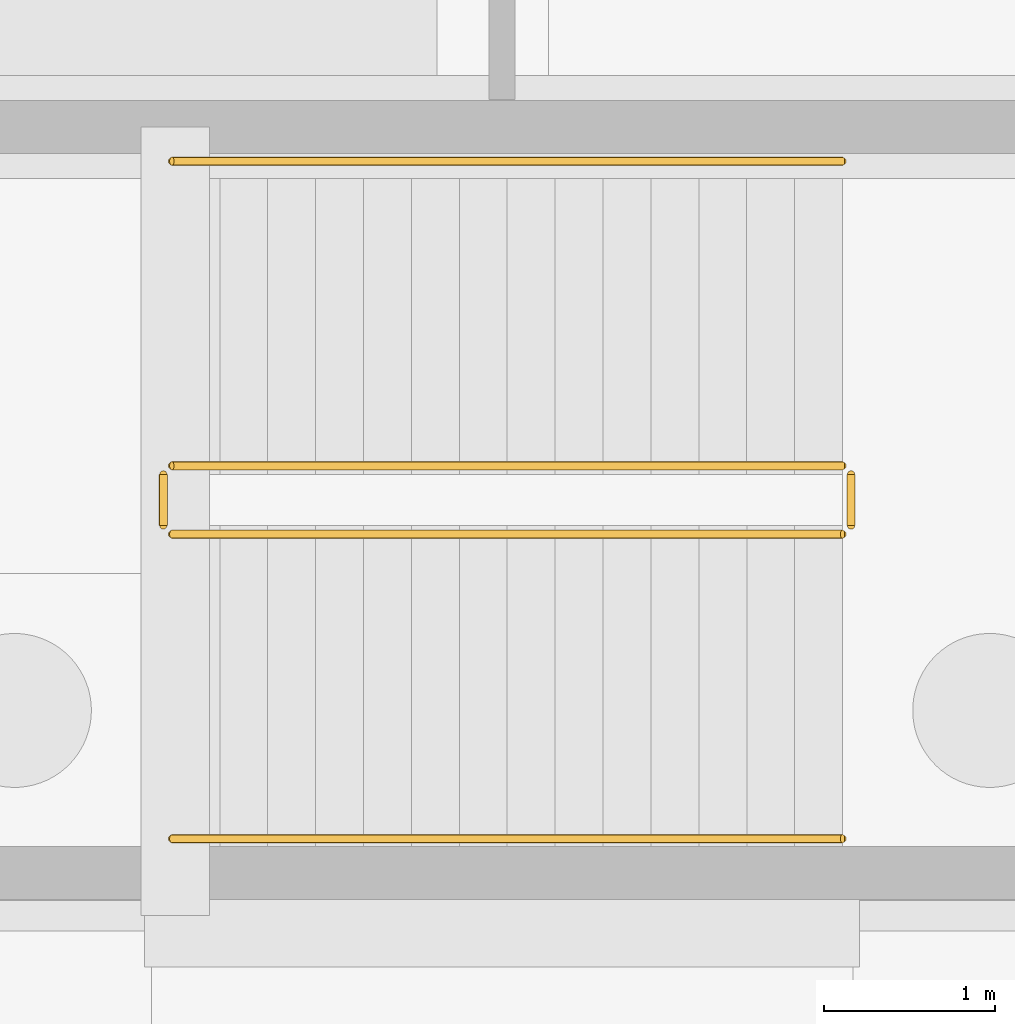
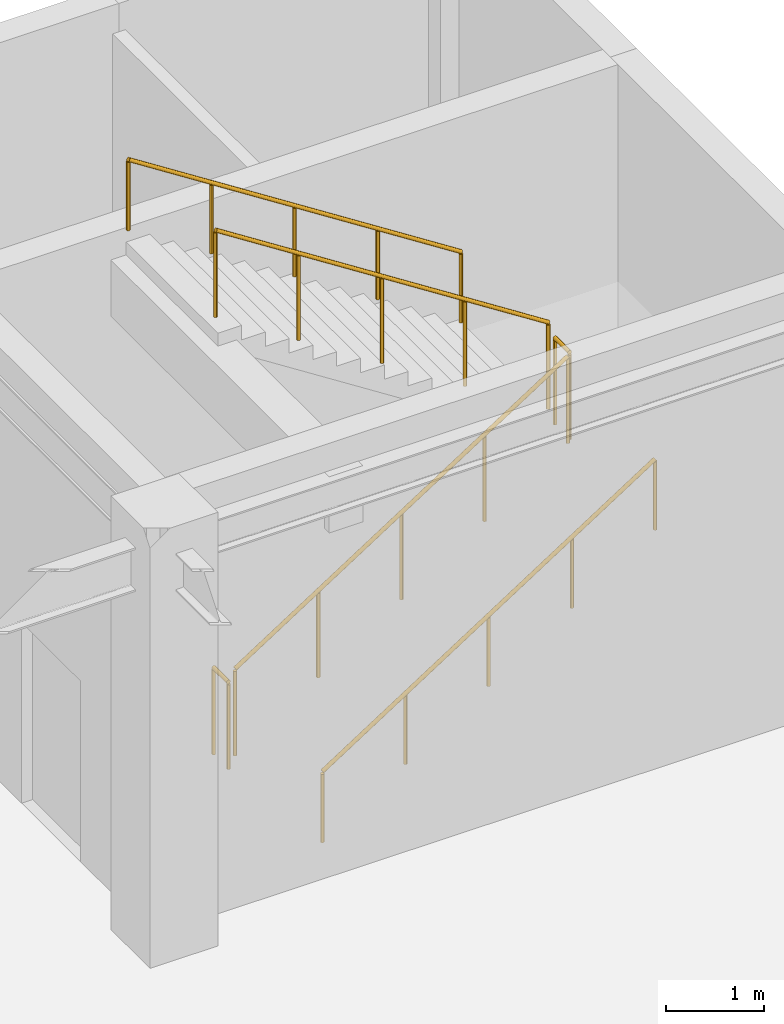
# One storey, part 25 of 26: 6 railings.
"""IFC4 building model written with IfcOpenShell, lengths in metres."""

from ifc_helpers import new_model, si_unit, direction, frame, origin, origin_2d, place, context, subcontext, project, spatial, circle, extrude, material, type_object, element, save


model = new_model("IFC4")

# Units and contexts
model_context = context("Model", 3, precision=1e-05, world=origin(), true_north=direction((0.0, 1.0)))
body_context = subcontext(model_context, "Body", "Model", "MODEL_VIEW")
ifc_project = project(units=[si_unit("LENGTHUNIT", "METRE"), si_unit("AREAUNIT", "SQUARE_METRE"), si_unit("VOLUMEUNIT", "CUBIC_METRE"), si_unit("PLANEANGLEUNIT", "RADIAN"), si_unit("MASSUNIT", "GRAM", prefix="KILO")], contexts=[model_context])

# Site, building, storey
site_placement = place(None, origin())
site = spatial("IfcSite", under=ifc_project, at=site_placement, CompositionType="ELEMENT")
building_placement = place(site_placement, origin())
building = spatial("IfcBuilding", under=site, at=building_placement, Name="Parian Resonance Hall", CompositionType="ELEMENT")
storey_placement = place(building_placement, frame((0.0, 0.0, -5.39990234375)))
storey = spatial("IfcBuildingStorey", under=building, at=storey_placement, Name="B1", CompositionType="ELEMENT", Elevation=-5.39990234375)

# Railings
ifc_material_1 = material(Name="Patinated bronze whiplash metalwork")
railing_type_1 = type_object("IfcRailingType", Name="RAIL-STAIR-GRD-1100", PredefinedType="GUARDRAIL", material=ifc_material_1)
railing_1_placement = place(storey_placement, frame((139.820068359375, 83.22998046875, 0.179931640625)))
element("IfcRailing", 1, at=railing_1_placement, inside=storey, type_object=railing_type_1, Name="B1 ST-06 stair guard 1", PredefinedType="GUARDRAIL", context=body_context, shape_type="SweptSolid", body=[
    extrude(circle(Radius=0.02392578125, at=origin_2d()), frame((0.0, 0.0, 1.076171875), z_axis=(0.841171666519, 0.0, 0.540768182723), x_axis=(0.0, 1.0, 0.0)), (0.0, 0.0, 1.0), 4.66015625),
    extrude(circle(Radius=0.02099609375, at=origin_2d()), origin(), (0.0, 0.0, 1.0), 1.052001953125),
    extrude(circle(Radius=0.02099609375, at=origin_2d()), frame((0.97998046875, 0.0, 0.6298828125)), (0.0, 0.0, 1.0), 1.052001953125),
    extrude(circle(Radius=0.02099609375, at=origin_2d()), frame((1.9599609375, 0.0, 1.260009765625)), (0.0, 0.0, 1.0), 1.052001953125),
    extrude(circle(Radius=0.02099609375, at=origin_2d()), frame((2.93994140625, 0.0, 1.89013671875)), (0.0, 0.0, 1.0), 1.052001953125),
    extrude(circle(Radius=0.02099609375, at=origin_2d()), frame((3.919921875, 0.0, 2.52001953125)), (0.0, 0.0, 1.0), 1.052001953125),
])
railing_2_placement = place(storey_placement, frame((143.7900390625, 83.280029296875, 2.699951171875)))
element("IfcRailing", 2, at=railing_2_placement, inside=storey, type_object=railing_type_1, Name="B1 ST-06 stair guard 2", PredefinedType="GUARDRAIL", context=body_context, shape_type="SweptSolid", body=[
    extrude(circle(Radius=0.02392578125, at=origin_2d()), frame((0.0, 0.0, 1.076171875), z_axis=(0.0, 1.0, 0.0), x_axis=(-1.0, 0.0, 0.0)), (0.0, 0.0, 1.0), 0.300048828125),
    extrude(circle(Radius=0.02099609375, at=origin_2d()), origin(), (0.0, 0.0, 1.0), 1.052001953125),
    extrude(circle(Radius=0.02099609375, at=origin_2d()), frame((0.0, 0.300048828125, 0.0)), (0.0, 0.0, 1.0), 1.052001953125),
])
railing_3_placement = place(storey_placement, frame((143.739990234375, 83.6298828125, 2.8798828125)))
element("IfcRailing", 3, at=railing_3_placement, inside=storey, type_object=railing_type_1, Name="B1 ST-06 stair guard 3", PredefinedType="GUARDRAIL", context=body_context, shape_type="SweptSolid", body=[
    extrude(circle(Radius=0.02392578125, at=origin_2d()), frame((0.0, 0.0, 1.076171875), z_axis=(-0.841171666519, 0.0, 0.540768182723), x_axis=(0.0, -1.0, 0.0)), (0.0, 0.0, 1.0), 4.66015625),
    extrude(circle(Radius=0.02099609375, at=origin_2d()), origin(), (0.0, 0.0, 1.0), 1.052001953125),
    extrude(circle(Radius=0.02099609375, at=origin_2d()), frame((-0.97998046875, 0.0, 0.6298828125)), (0.0, 0.0, 1.0), 1.052001953125),
    extrude(circle(Radius=0.02099609375, at=origin_2d()), frame((-1.9599609375, 0.0, 1.260009765625)), (0.0, 0.0, 1.0), 1.052001953125),
    extrude(circle(Radius=0.02099609375, at=origin_2d()), frame((-2.93994140625, 0.0, 1.89013671875)), (0.0, 0.0, 1.0), 1.052001953125),
    extrude(circle(Radius=0.02099609375, at=origin_2d()), frame((-3.919921875, 0.0, 2.52001953125)), (0.0, 0.0, 1.0), 1.052001953125),
])
railing_4_placement = place(storey_placement, frame((139.77001953125, 83.280029296875, 0.0)))
element("IfcRailing", 4, at=railing_4_placement, inside=storey, type_object=railing_type_1, Name="B1 ST-06 stair guard 4", PredefinedType="GUARDRAIL", context=body_context, shape_type="SweptSolid", body=[
    extrude(circle(Radius=0.02392578125, at=origin_2d()), frame((0.0, 0.0, 1.076171875), z_axis=(0.0, 1.0, 0.0), x_axis=(-1.0, 0.0, 0.0)), (0.0, 0.0, 1.0), 0.300048828125),
    extrude(circle(Radius=0.02099609375, at=origin_2d()), origin(), (0.0, 0.0, 1.0), 1.052001953125),
    extrude(circle(Radius=0.02099609375, at=origin_2d()), frame((0.0, 0.300048828125, 0.0)), (0.0, 0.0, 1.0), 1.052001953125),
])
ifc_material_2 = material(Name="Patinated bronze whiplash metalwork")
railing_type_2 = type_object("IfcRailingType", Name="RAIL-STAIR-HR-900", PredefinedType="HANDRAIL", material=ifc_material_2)
railing_5_placement = place(storey_placement, frame((139.820068359375, 81.449951171875, 0.179931640625)))
element("IfcRailing", 5, at=railing_5_placement, inside=storey, type_object=railing_type_2, Name="B1 ST-06 stair handrail 1", PredefinedType="HANDRAIL", context=body_context, shape_type="SweptSolid", body=[
    extrude(circle(Radius=0.02392578125, at=origin_2d()), frame((0.0, 0.0, 0.8759765625), z_axis=(0.841171666519, 0.0, 0.540768182723), x_axis=(0.0, 1.0, 0.0)), (0.0, 0.0, 1.0), 4.66015625),
    extrude(circle(Radius=0.02099609375, at=origin_2d()), origin(), (0.0, 0.0, 1.0), 0.851806640625),
    extrude(circle(Radius=0.02099609375, at=origin_2d()), frame((0.97998046875, 0.0, 0.6298828125)), (0.0, 0.0, 1.0), 0.851806640625),
    extrude(circle(Radius=0.02099609375, at=origin_2d()), frame((1.9599609375, 0.0, 1.260009765625)), (0.0, 0.0, 1.0), 0.851806640625),
    extrude(circle(Radius=0.02099609375, at=origin_2d()), frame((2.93994140625, 0.0, 1.89013671875)), (0.0, 0.0, 1.0), 0.851806640625),
    extrude(circle(Radius=0.02099609375, at=origin_2d()), frame((3.919921875, 0.0, 2.52001953125)), (0.0, 0.0, 1.0), 0.851806640625),
])
railing_6_placement = place(storey_placement, frame((143.739990234375, 85.409912109375, 2.8798828125)))
element("IfcRailing", 6, at=railing_6_placement, inside=storey, type_object=railing_type_2, Name="B1 ST-06 stair handrail 2", PredefinedType="HANDRAIL", context=body_context, shape_type="SweptSolid", body=[
    extrude(circle(Radius=0.02392578125, at=origin_2d()), frame((0.0, 0.0, 0.8759765625), z_axis=(-0.841171666519, 0.0, 0.540768182723), x_axis=(0.0, -1.0, 0.0)), (0.0, 0.0, 1.0), 4.66015625),
    extrude(circle(Radius=0.02099609375, at=origin_2d()), origin(), (0.0, 0.0, 1.0), 0.851806640625),
    extrude(circle(Radius=0.02099609375, at=origin_2d()), frame((-0.97998046875, 0.0, 0.6298828125)), (0.0, 0.0, 1.0), 0.851806640625),
    extrude(circle(Radius=0.02099609375, at=origin_2d()), frame((-1.9599609375, 0.0, 1.260009765625)), (0.0, 0.0, 1.0), 0.851806640625),
    extrude(circle(Radius=0.02099609375, at=origin_2d()), frame((-2.93994140625, 0.0, 1.89013671875)), (0.0, 0.0, 1.0), 0.851806640625),
    extrude(circle(Radius=0.02099609375, at=origin_2d()), frame((-3.919921875, 0.0, 2.52001953125)), (0.0, 0.0, 1.0), 0.851806640625),
])

save(model, "model.ifc")
